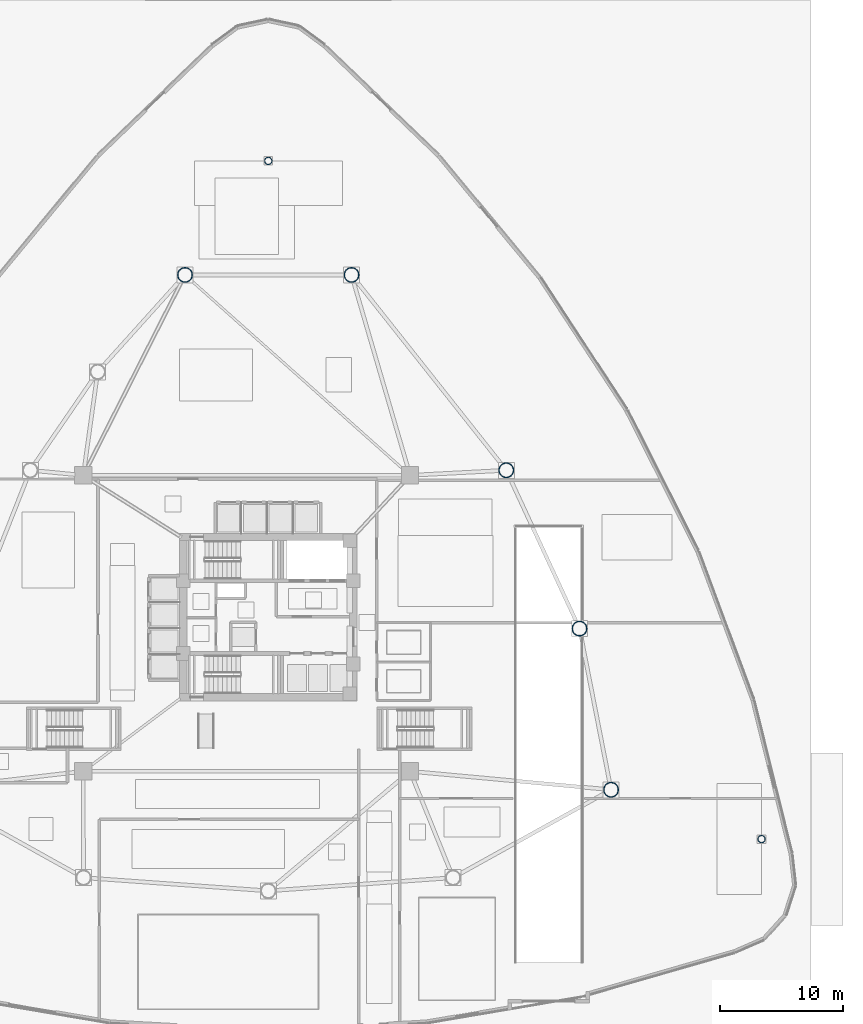
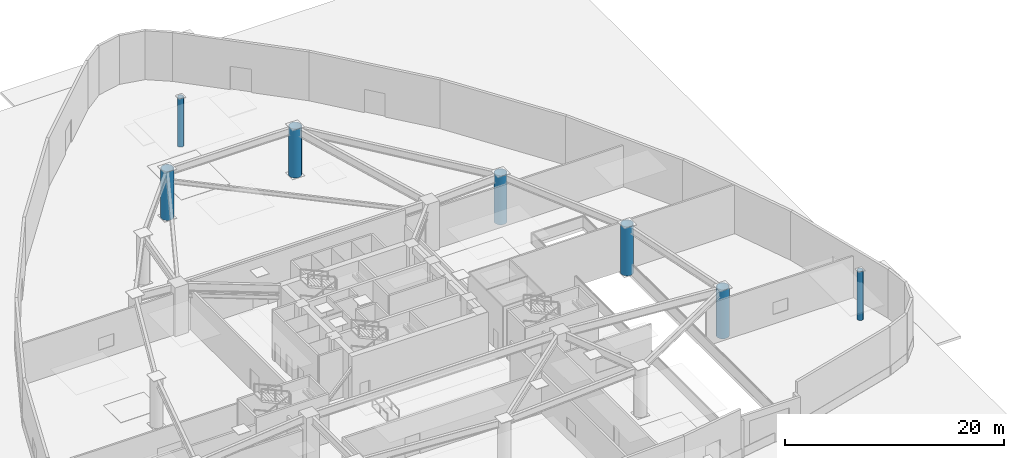
# One storey, part 2 of 13: 7 columns.
"""IFC4 building model written with IfcOpenShell, lengths in metres."""

from ifc_helpers import new_model, si_unit, direction, frame, origin, origin_2d, place, context, subcontext, project, spatial, hollow_circle, extrude, material, material_profile, profile_set, type_object, element, save


model = new_model("IFC4")

# Units and contexts
model_context = context("Model", 3, precision=1e-05, world=origin(), true_north=direction((0.0, 1.0)))
body_context = subcontext(model_context, "Body", "Model", "MODEL_VIEW")
ifc_project = project(units=[si_unit("LENGTHUNIT", "METRE"), si_unit("AREAUNIT", "SQUARE_METRE"), si_unit("VOLUMEUNIT", "CUBIC_METRE"), si_unit("PLANEANGLEUNIT", "RADIAN"), si_unit("MASSUNIT", "GRAM", prefix="KILO")], contexts=[model_context])

# Site, building, storey
site_placement = place(None, origin())
site = spatial("IfcSite", under=ifc_project, at=site_placement, CompositionType="ELEMENT")
building_placement = place(site_placement, origin())
building = spatial("IfcBuilding", under=site, at=building_placement, Name="Tavelor Broadcast Tower", CompositionType="ELEMENT")
storey_placement = place(building_placement, origin())
storey = spatial("IfcBuildingStorey", under=building, at=storey_placement, Name="L00", CompositionType="ELEMENT", Elevation=0.0)

# Columns
ifc_material_1 = material(Name="Steel S355", Category="steel")
ifc_material_profile_1 = material_profile(ifc_material_1, hollow_circle(Radius=0.304931640625, WallThickness=0.028076171875, at=origin_2d()), Name="CHS 610x28")
ifc_profile_set_1 = profile_set([ifc_material_profile_1], Name="Steel S355")
column_type_1 = type_object("IfcColumnType", Name="Plaza Canopy Mega Column CHS610", PredefinedType="COLUMN", material=ifc_profile_set_1)
for number, where, z_axis, x_axis, name in (
    (1, (50.0, 82.0, 0.0), (0.0, 0.0, 1.0), (1.0, 0.0, 0.0), "L00 Entrance Portal Mega Column 1"),
    (2, (90.0, 27.0, 0.0), (0.0, 0.0, 1.0), (1.0, 0.0, 0.0), "L00 Entrance Portal Mega Column 3"),
):
    element("IfcColumn", number, at=place(storey_placement, frame(where, z_axis=z_axis, x_axis=x_axis)), inside=storey, type_object=column_type_1, Name=name, PredefinedType="COLUMN", context=body_context, shape_type="SweptSolid", body=[
        extrude(hollow_circle(Radius=0.304931640625, WallThickness=0.028076171875, at=origin_2d()), origin(), (0.0, 0.0, 1.0), 5.449951171875),
    ])
ifc_material_2 = material(Name="Steel S460", Category="steel")
ifc_material_profile_2 = material_profile(ifc_material_2, hollow_circle(Radius=0.609619140625, WallThickness=0.050048828125, at=origin_2d()), Name="CHS 1219x50")
ifc_profile_set_2 = profile_set([ifc_material_profile_2], Name="Steel S460")
column_type_2 = type_object("IfcColumnType", Name="Podium Perimeter Mega Column CHS1219", PredefinedType="COLUMN", material=ifc_profile_set_2)
for number, where, z_axis, x_axis, name in (
    (3, (43.247314453125, 72.7509765625, 0.0), (0.0, 0.0, 1.0), (1.0, 0.0, 0.0), "L00 Podium Perimeter Mega Column 1"),
    (4, (77.800048828125, 31.0, 0.0), (0.0, 0.0, 1.0), (1.0, 0.0, 0.0), "L00 Podium Perimeter Mega Column 9"),
    (5, (75.2412109375, 44.070068359375, 0.0), (0.0, 0.0, 1.0), (1.0, 0.0, 0.0), "L00 Podium Perimeter Mega Column 10"),
    (6, (69.30078125, 56.9111328125, 0.0), (0.0, 0.0, 1.0), (1.0, 0.0, 0.0), "L00 Podium Perimeter Mega Column 11"),
    (7, (56.752685546875, 72.7509765625, 0.0), (0.0, 0.0, 1.0), (1.0, 0.0, 0.0), "L00 Podium Perimeter Mega Column 12"),
):
    element("IfcColumn", number, at=place(storey_placement, frame(where, z_axis=z_axis, x_axis=x_axis)), inside=storey, type_object=column_type_2, Name=name, PredefinedType="COLUMN", context=body_context, shape_type="SweptSolid", body=[
        extrude(hollow_circle(Radius=0.609619140625, WallThickness=0.050048828125, at=origin_2d()), origin(), (0.0, 0.0, 1.0), 5.449951171875),
    ])

save(model, "model.ifc")
